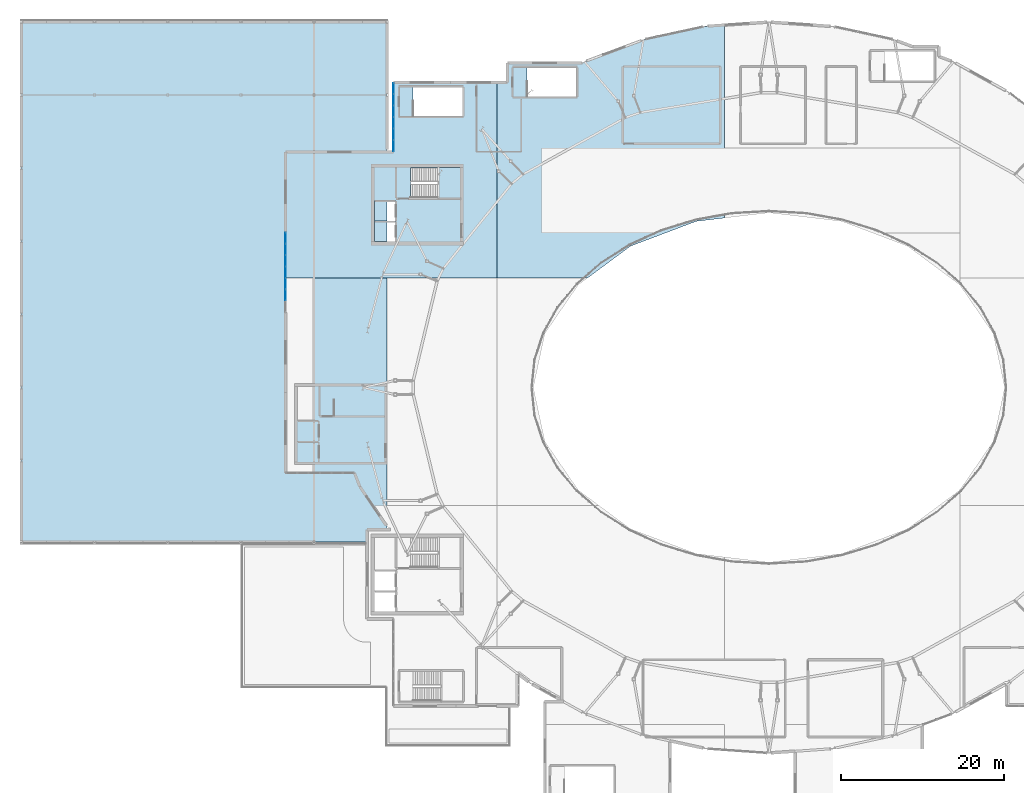
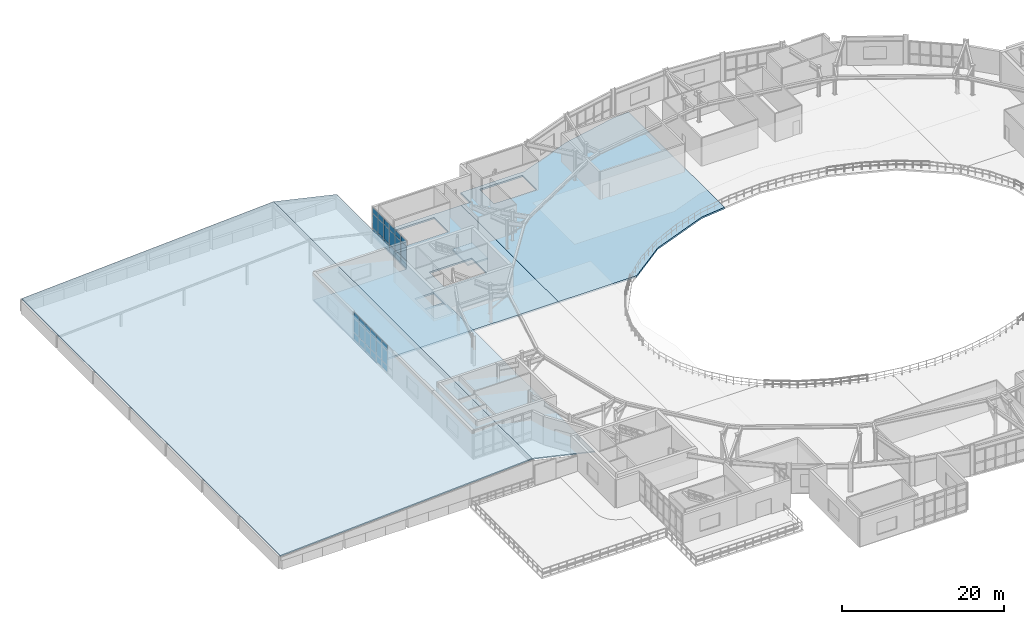
# One storey, part 33 of 48: 36 plates, 5 slabs, 4 elements without a shape of their own.
"""IFC4 building model written with IfcOpenShell, lengths in metres."""

from ifc_helpers import new_model, si_unit, direction, frame, origin, origin_2d, place, context, subcontext, project, spatial, polyline, rectangle, outline, extrude, material, layer, layer_set, type_object, element, aggregate, save


model = new_model("IFC4")

# Units and contexts
model_context = context("Model", 3, precision=1e-05, world=origin(), true_north=direction((0.0, 1.0)))
body_context = subcontext(model_context, "Body", "Model", "MODEL_VIEW")
ifc_project = project(units=[si_unit("LENGTHUNIT", "METRE"), si_unit("AREAUNIT", "SQUARE_METRE"), si_unit("VOLUMEUNIT", "CUBIC_METRE"), si_unit("PLANEANGLEUNIT", "RADIAN"), si_unit("MASSUNIT", "GRAM", prefix="KILO")], contexts=[model_context])

# Site, building, storey
site_placement = place(None, origin())
site = spatial("IfcSite", under=ifc_project, at=site_placement, CompositionType="ELEMENT")
building_placement = place(site_placement, origin())
building = spatial("IfcBuilding", under=site, at=building_placement, Name="Glasvene Arena", CompositionType="ELEMENT")
storey_placement = place(building_placement, frame((0.0, 0.0, 19.5)))
storey = spatial("IfcBuildingStorey", under=building, at=storey_placement, Name="L04", CompositionType="ELEMENT", Elevation=19.5)

# Curtain wall, plates
ifc_material_1 = material(Name="Low-emissivity laminated double glazing", Category="glass")
curtain_wall_type_1 = type_object("IfcCurtainWallType", Name="CW-FAC-L04-980x419", PredefinedType="USERDEFINED", material=ifc_material_1)
curtain_wall_1_placement = place(storey_placement, frame((32.5, 82.2900390625, 0.0)))
curtain_wall_1 = element("IfcCurtainWall", 1, at=curtain_wall_1_placement, inside=storey, type_object=curtain_wall_type_1, Name="Unitised curtain wall CW-F-L04-180-325-872-13", ObjectType="CURTAIN WALL", PredefinedType="USERDEFINED")
ifc_layer_1 = layer(ifc_material_1, 0.028076171875)
ifc_layer_set_1 = layer_set([ifc_layer_1], Name="Low-emissivity laminated double glazing")
plate_type = type_object("IfcPlateType", Name="CW-GLZ-28", PredefinedType="CURTAIN_PANEL", material=ifc_layer_set_1)
plate_1_placement = place(storey_placement, frame((32.5, 84.388916015625, 0.10986328125), z_axis=(0.0, 0.0, 1.0), x_axis=(0.0, 1.0, 0.0)))
plate_1 = element("IfcPlate", 2, at=plate_1_placement, type_object=plate_type, Name="CW-047 panel 2.1", PredefinedType="CURTAIN_PANEL", context=body_context, shape_type="SweptSolid", body=[
    extrude(rectangle(XDim=1.349365234375, YDim=0.028076171875, at=origin_2d()), origin(), (0.0, 0.0, 1.0), 0.965087890625),
])
plate_2_placement = place(storey_placement, frame((32.5, 84.388916015625, 1.125), z_axis=(0.0, 0.0, 1.0), x_axis=(0.0, 1.0, 0.0)))
plate_2 = element("IfcPlate", 3, at=plate_2_placement, type_object=plate_type, Name="CW-047 panel 2.2", PredefinedType="CURTAIN_PANEL", context=body_context, shape_type="SweptSolid", body=[
    extrude(rectangle(XDim=1.349365234375, YDim=0.028076171875, at=origin_2d()), origin(), (0.0, 0.0, 1.0), 2.199951171875),
])
plate_3_placement = place(storey_placement, frame((32.5, 84.388916015625, 3.375), z_axis=(0.0, 0.0, 1.0), x_axis=(0.0, 1.0, 0.0)))
plate_3 = element("IfcPlate", 4, at=plate_3_placement, type_object=plate_type, Name="CW-047 panel 2.3", PredefinedType="CURTAIN_PANEL", context=body_context, shape_type="SweptSolid", body=[
    extrude(rectangle(XDim=1.349365234375, YDim=0.028076171875, at=origin_2d()), origin(), (0.0, 0.0, 1.0), 0.824951171875),
])
plate_4_placement = place(storey_placement, frame((32.5, 85.788330078125, 0.10986328125), z_axis=(0.0, 0.0, 1.0), x_axis=(0.0, 1.0, 0.0)))
plate_4 = element("IfcPlate", 5, at=plate_4_placement, type_object=plate_type, Name="CW-047 panel 3.1", PredefinedType="CURTAIN_PANEL", context=body_context, shape_type="SweptSolid", body=[
    extrude(rectangle(XDim=1.349365234375, YDim=0.028076171875, at=origin_2d()), origin(), (0.0, 0.0, 1.0), 0.965087890625),
])
plate_5_placement = place(storey_placement, frame((32.5, 85.788330078125, 1.125), z_axis=(0.0, 0.0, 1.0), x_axis=(0.0, 1.0, 0.0)))
plate_5 = element("IfcPlate", 6, at=plate_5_placement, type_object=plate_type, Name="CW-047 panel 3.2", PredefinedType="CURTAIN_PANEL", context=body_context, shape_type="SweptSolid", body=[
    extrude(rectangle(XDim=1.349365234375, YDim=0.028076171875, at=origin_2d()), origin(), (0.0, 0.0, 1.0), 2.199951171875),
])
plate_6_placement = place(storey_placement, frame((32.5, 85.788330078125, 3.375), z_axis=(0.0, 0.0, 1.0), x_axis=(0.0, 1.0, 0.0)))
plate_6 = element("IfcPlate", 7, at=plate_6_placement, type_object=plate_type, Name="CW-047 panel 3.3", PredefinedType="CURTAIN_PANEL", context=body_context, shape_type="SweptSolid", body=[
    extrude(rectangle(XDim=1.349365234375, YDim=0.028076171875, at=origin_2d()), origin(), (0.0, 0.0, 1.0), 0.824951171875),
])
plate_7_placement = place(storey_placement, frame((32.5, 87.1875, 0.10986328125), z_axis=(0.0, 0.0, 1.0), x_axis=(0.0, 1.0, 0.0)))
plate_7 = element("IfcPlate", 8, at=plate_7_placement, type_object=plate_type, Name="CW-047 panel 4.1", PredefinedType="CURTAIN_PANEL", context=body_context, shape_type="SweptSolid", body=[
    extrude(rectangle(XDim=1.349365234375, YDim=0.028076171875, at=origin_2d()), origin(), (0.0, 0.0, 1.0), 0.965087890625),
])
plate_8_placement = place(storey_placement, frame((32.5, 87.1875, 1.125), z_axis=(0.0, 0.0, 1.0), x_axis=(0.0, 1.0, 0.0)))
plate_8 = element("IfcPlate", 9, at=plate_8_placement, type_object=plate_type, Name="CW-047 panel 4.2", PredefinedType="CURTAIN_PANEL", context=body_context, shape_type="SweptSolid", body=[
    extrude(rectangle(XDim=1.349365234375, YDim=0.028076171875, at=origin_2d()), origin(), (0.0, 0.0, 1.0), 2.199951171875),
])
plate_9_placement = place(storey_placement, frame((32.5, 87.1875, 3.375), z_axis=(0.0, 0.0, 1.0), x_axis=(0.0, 1.0, 0.0)))
plate_9 = element("IfcPlate", 10, at=plate_9_placement, type_object=plate_type, Name="CW-047 panel 4.3", PredefinedType="CURTAIN_PANEL", context=body_context, shape_type="SweptSolid", body=[
    extrude(rectangle(XDim=1.349365234375, YDim=0.028076171875, at=origin_2d()), origin(), (0.0, 0.0, 1.0), 0.824951171875),
])
plate_10_placement = place(storey_placement, frame((32.5, 88.586669921875, 0.10986328125), z_axis=(0.0, 0.0, 1.0), x_axis=(0.0, 1.0, 0.0)))
plate_10 = element("IfcPlate", 11, at=plate_10_placement, type_object=plate_type, Name="CW-047 panel 5.1", PredefinedType="CURTAIN_PANEL", context=body_context, shape_type="SweptSolid", body=[
    extrude(rectangle(XDim=1.349365234375, YDim=0.028076171875, at=origin_2d()), origin(), (0.0, 0.0, 1.0), 0.965087890625),
])
plate_11_placement = place(storey_placement, frame((32.5, 88.586669921875, 1.125), z_axis=(0.0, 0.0, 1.0), x_axis=(0.0, 1.0, 0.0)))
plate_11 = element("IfcPlate", 12, at=plate_11_placement, type_object=plate_type, Name="CW-047 panel 5.2", PredefinedType="CURTAIN_PANEL", context=body_context, shape_type="SweptSolid", body=[
    extrude(rectangle(XDim=1.349365234375, YDim=0.028076171875, at=origin_2d()), origin(), (0.0, 0.0, 1.0), 2.199951171875),
])
plate_12_placement = place(storey_placement, frame((32.5, 88.586669921875, 3.375), z_axis=(0.0, 0.0, 1.0), x_axis=(0.0, 1.0, 0.0)))
plate_12 = element("IfcPlate", 13, at=plate_12_placement, type_object=plate_type, Name="CW-047 panel 5.3", PredefinedType="CURTAIN_PANEL", context=body_context, shape_type="SweptSolid", body=[
    extrude(rectangle(XDim=1.349365234375, YDim=0.028076171875, at=origin_2d()), origin(), (0.0, 0.0, 1.0), 0.824951171875),
])
plate_13_placement = place(storey_placement, frame((32.5, 89.986083984375, 0.10986328125), z_axis=(0.0, 0.0, 1.0), x_axis=(0.0, 1.0, 0.0)))
plate_13 = element("IfcPlate", 14, at=plate_13_placement, type_object=plate_type, Name="CW-047 panel 6.1", PredefinedType="CURTAIN_PANEL", context=body_context, shape_type="SweptSolid", body=[
    extrude(rectangle(XDim=1.349365234375, YDim=0.028076171875, at=origin_2d()), origin(), (0.0, 0.0, 1.0), 0.965087890625),
])
plate_14_placement = place(storey_placement, frame((32.5, 89.986083984375, 1.125), z_axis=(0.0, 0.0, 1.0), x_axis=(0.0, 1.0, 0.0)))
plate_14 = element("IfcPlate", 15, at=plate_14_placement, type_object=plate_type, Name="CW-047 panel 6.2", PredefinedType="CURTAIN_PANEL", context=body_context, shape_type="SweptSolid", body=[
    extrude(rectangle(XDim=1.349365234375, YDim=0.028076171875, at=origin_2d()), origin(), (0.0, 0.0, 1.0), 2.199951171875),
])
plate_15_placement = place(storey_placement, frame((32.5, 89.986083984375, 3.375), z_axis=(0.0, 0.0, 1.0), x_axis=(0.0, 1.0, 0.0)))
plate_15 = element("IfcPlate", 16, at=plate_15_placement, type_object=plate_type, Name="CW-047 panel 6.3", PredefinedType="CURTAIN_PANEL", context=body_context, shape_type="SweptSolid", body=[
    extrude(rectangle(XDim=1.349365234375, YDim=0.028076171875, at=origin_2d()), origin(), (0.0, 0.0, 1.0), 0.824951171875),
])
plate_16_placement = place(storey_placement, frame((32.5, 91.372802734375, 0.10986328125), z_axis=(0.0, 0.0, 1.0), x_axis=(0.0, 1.0, 0.0)))
plate_16 = element("IfcPlate", 17, at=plate_16_placement, type_object=plate_type, Name="CW-047 panel 7.1", PredefinedType="CURTAIN_PANEL", context=body_context, shape_type="SweptSolid", body=[
    extrude(rectangle(XDim=1.32421875, YDim=0.028076171875, at=origin_2d()), origin(), (0.0, 0.0, 1.0), 0.965087890625),
])
plate_17_placement = place(storey_placement, frame((32.5, 91.372802734375, 1.125), z_axis=(0.0, 0.0, 1.0), x_axis=(0.0, 1.0, 0.0)))
plate_17 = element("IfcPlate", 18, at=plate_17_placement, type_object=plate_type, Name="CW-047 panel 7.2", PredefinedType="CURTAIN_PANEL", context=body_context, shape_type="SweptSolid", body=[
    extrude(rectangle(XDim=1.32421875, YDim=0.028076171875, at=origin_2d()), origin(), (0.0, 0.0, 1.0), 2.199951171875),
])
plate_18_placement = place(storey_placement, frame((32.5, 91.372802734375, 3.375), z_axis=(0.0, 0.0, 1.0), x_axis=(0.0, 1.0, 0.0)))
plate_18 = element("IfcPlate", 19, at=plate_18_placement, type_object=plate_type, Name="CW-047 panel 7.3", PredefinedType="CURTAIN_PANEL", context=body_context, shape_type="SweptSolid", body=[
    extrude(rectangle(XDim=1.32421875, YDim=0.028076171875, at=origin_2d()), origin(), (0.0, 0.0, 1.0), 0.824951171875),
])
aggregate(curtain_wall_1, [plate_1, plate_2, plate_3, plate_4, plate_5, plate_6, plate_7, plate_8, plate_9, plate_10, plate_11, plate_12, plate_13, plate_14, plate_15, plate_16, plate_17, plate_18])

curtain_wall_type_2 = type_object("IfcCurtainWallType", Name="CW-FAC-L04-847x419", PredefinedType="USERDEFINED", material=ifc_material_1)
curtain_wall_2_placement = place(storey_placement, frame((45.800048828125, 102.0400390625, 0.0)))
curtain_wall_2 = element("IfcCurtainWall", 20, at=curtain_wall_2_placement, inside=storey, type_object=curtain_wall_type_2, Name="Unitised curtain wall CW-F-L04-180-458-1063-16", ObjectType="CURTAIN WALL", PredefinedType="USERDEFINED")
plate_19_placement = place(storey_placement, frame((45.800048828125, 102.75830078125, 0.10986328125), z_axis=(0.0, 0.0, 1.0), x_axis=(0.0, 1.0, 0.0)))
plate_19 = element("IfcPlate", 21, at=plate_19_placement, type_object=plate_type, Name="CW-048 panel 1.1", PredefinedType="CURTAIN_PANEL", context=body_context, shape_type="SweptSolid", body=[
    extrude(rectangle(XDim=1.336669921875, YDim=0.028076171875, at=origin_2d()), origin(), (0.0, 0.0, 1.0), 0.965087890625),
])
plate_20_placement = place(storey_placement, frame((45.800048828125, 102.75830078125, 1.125), z_axis=(0.0, 0.0, 1.0), x_axis=(0.0, 1.0, 0.0)))
plate_20 = element("IfcPlate", 22, at=plate_20_placement, type_object=plate_type, Name="CW-048 panel 1.2", PredefinedType="CURTAIN_PANEL", context=body_context, shape_type="SweptSolid", body=[
    extrude(rectangle(XDim=1.336669921875, YDim=0.028076171875, at=origin_2d()), origin(), (0.0, 0.0, 1.0), 2.199951171875),
])
plate_21_placement = place(storey_placement, frame((45.800048828125, 102.75830078125, 3.375), z_axis=(0.0, 0.0, 1.0), x_axis=(0.0, 1.0, 0.0)))
plate_21 = element("IfcPlate", 23, at=plate_21_placement, type_object=plate_type, Name="CW-048 panel 1.3", PredefinedType="CURTAIN_PANEL", context=body_context, shape_type="SweptSolid", body=[
    extrude(rectangle(XDim=1.336669921875, YDim=0.028076171875, at=origin_2d()), origin(), (0.0, 0.0, 1.0), 0.824951171875),
])
plate_22_placement = place(storey_placement, frame((45.800048828125, 104.157470703125, 0.10986328125), z_axis=(0.0, 0.0, 1.0), x_axis=(0.0, 1.0, 0.0)))
plate_22 = element("IfcPlate", 24, at=plate_22_placement, type_object=plate_type, Name="CW-048 panel 2.1", PredefinedType="CURTAIN_PANEL", context=body_context, shape_type="SweptSolid", body=[
    extrude(rectangle(XDim=1.361572265625, YDim=0.028076171875, at=origin_2d()), origin(), (0.0, 0.0, 1.0), 0.965087890625),
])
plate_23_placement = place(storey_placement, frame((45.800048828125, 104.157470703125, 1.125), z_axis=(0.0, 0.0, 1.0), x_axis=(0.0, 1.0, 0.0)))
plate_23 = element("IfcPlate", 25, at=plate_23_placement, type_object=plate_type, Name="CW-048 panel 2.2", PredefinedType="CURTAIN_PANEL", context=body_context, shape_type="SweptSolid", body=[
    extrude(rectangle(XDim=1.361572265625, YDim=0.028076171875, at=origin_2d()), origin(), (0.0, 0.0, 1.0), 2.199951171875),
])
plate_24_placement = place(storey_placement, frame((45.800048828125, 104.157470703125, 3.375), z_axis=(0.0, 0.0, 1.0), x_axis=(0.0, 1.0, 0.0)))
plate_24 = element("IfcPlate", 26, at=plate_24_placement, type_object=plate_type, Name="CW-048 panel 2.3", PredefinedType="CURTAIN_PANEL", context=body_context, shape_type="SweptSolid", body=[
    extrude(rectangle(XDim=1.361572265625, YDim=0.028076171875, at=origin_2d()), origin(), (0.0, 0.0, 1.0), 0.824951171875),
])
plate_25_placement = place(storey_placement, frame((45.800048828125, 105.569091796875, 0.10986328125), z_axis=(0.0, 0.0, 1.0), x_axis=(0.0, 1.0, 0.0)))
plate_25 = element("IfcPlate", 27, at=plate_25_placement, type_object=plate_type, Name="CW-048 panel 3.1", PredefinedType="CURTAIN_PANEL", context=body_context, shape_type="SweptSolid", body=[
    extrude(rectangle(XDim=1.361572265625, YDim=0.028076171875, at=origin_2d()), origin(), (0.0, 0.0, 1.0), 0.965087890625),
])
plate_26_placement = place(storey_placement, frame((45.800048828125, 105.569091796875, 1.125), z_axis=(0.0, 0.0, 1.0), x_axis=(0.0, 1.0, 0.0)))
plate_26 = element("IfcPlate", 28, at=plate_26_placement, type_object=plate_type, Name="CW-048 panel 3.2", PredefinedType="CURTAIN_PANEL", context=body_context, shape_type="SweptSolid", body=[
    extrude(rectangle(XDim=1.361572265625, YDim=0.028076171875, at=origin_2d()), origin(), (0.0, 0.0, 1.0), 2.199951171875),
])
plate_27_placement = place(storey_placement, frame((45.800048828125, 105.569091796875, 3.375), z_axis=(0.0, 0.0, 1.0), x_axis=(0.0, 1.0, 0.0)))
plate_27 = element("IfcPlate", 29, at=plate_27_placement, type_object=plate_type, Name="CW-048 panel 3.3", PredefinedType="CURTAIN_PANEL", context=body_context, shape_type="SweptSolid", body=[
    extrude(rectangle(XDim=1.361572265625, YDim=0.028076171875, at=origin_2d()), origin(), (0.0, 0.0, 1.0), 0.824951171875),
])
plate_28_placement = place(storey_placement, frame((45.800048828125, 106.980712890625, 0.10986328125), z_axis=(0.0, 0.0, 1.0), x_axis=(0.0, 1.0, 0.0)))
plate_28 = element("IfcPlate", 30, at=plate_28_placement, type_object=plate_type, Name="CW-048 panel 4.1", PredefinedType="CURTAIN_PANEL", context=body_context, shape_type="SweptSolid", body=[
    extrude(rectangle(XDim=1.361572265625, YDim=0.028076171875, at=origin_2d()), origin(), (0.0, 0.0, 1.0), 0.965087890625),
])
plate_29_placement = place(storey_placement, frame((45.800048828125, 106.980712890625, 1.125), z_axis=(0.0, 0.0, 1.0), x_axis=(0.0, 1.0, 0.0)))
plate_29 = element("IfcPlate", 31, at=plate_29_placement, type_object=plate_type, Name="CW-048 panel 4.2", PredefinedType="CURTAIN_PANEL", context=body_context, shape_type="SweptSolid", body=[
    extrude(rectangle(XDim=1.361572265625, YDim=0.028076171875, at=origin_2d()), origin(), (0.0, 0.0, 1.0), 2.199951171875),
])
plate_30_placement = place(storey_placement, frame((45.800048828125, 106.980712890625, 3.375), z_axis=(0.0, 0.0, 1.0), x_axis=(0.0, 1.0, 0.0)))
plate_30 = element("IfcPlate", 32, at=plate_30_placement, type_object=plate_type, Name="CW-048 panel 4.3", PredefinedType="CURTAIN_PANEL", context=body_context, shape_type="SweptSolid", body=[
    extrude(rectangle(XDim=1.361572265625, YDim=0.028076171875, at=origin_2d()), origin(), (0.0, 0.0, 1.0), 0.824951171875),
])
plate_31_placement = place(storey_placement, frame((45.800048828125, 108.392578125, 0.10986328125), z_axis=(0.0, 0.0, 1.0), x_axis=(0.0, 1.0, 0.0)))
plate_31 = element("IfcPlate", 33, at=plate_31_placement, type_object=plate_type, Name="CW-048 panel 5.1", PredefinedType="CURTAIN_PANEL", context=body_context, shape_type="SweptSolid", body=[
    extrude(rectangle(XDim=1.361572265625, YDim=0.028076171875, at=origin_2d()), origin(), (0.0, 0.0, 1.0), 0.965087890625),
])
plate_32_placement = place(storey_placement, frame((45.800048828125, 108.392578125, 1.125), z_axis=(0.0, 0.0, 1.0), x_axis=(0.0, 1.0, 0.0)))
plate_32 = element("IfcPlate", 34, at=plate_32_placement, type_object=plate_type, Name="CW-048 panel 5.2", PredefinedType="CURTAIN_PANEL", context=body_context, shape_type="SweptSolid", body=[
    extrude(rectangle(XDim=1.361572265625, YDim=0.028076171875, at=origin_2d()), origin(), (0.0, 0.0, 1.0), 2.199951171875),
])
plate_33_placement = place(storey_placement, frame((45.800048828125, 108.392578125, 3.375), z_axis=(0.0, 0.0, 1.0), x_axis=(0.0, 1.0, 0.0)))
plate_33 = element("IfcPlate", 35, at=plate_33_placement, type_object=plate_type, Name="CW-048 panel 5.3", PredefinedType="CURTAIN_PANEL", context=body_context, shape_type="SweptSolid", body=[
    extrude(rectangle(XDim=1.361572265625, YDim=0.028076171875, at=origin_2d()), origin(), (0.0, 0.0, 1.0), 0.824951171875),
])
plate_34_placement = place(storey_placement, frame((45.800048828125, 109.791748046875, 0.10986328125), z_axis=(0.0, 0.0, 1.0), x_axis=(0.0, 1.0, 0.0)))
plate_34 = element("IfcPlate", 36, at=plate_34_placement, type_object=plate_type, Name="CW-048 panel 6.1", PredefinedType="CURTAIN_PANEL", context=body_context, shape_type="SweptSolid", body=[
    extrude(rectangle(XDim=1.336669921875, YDim=0.028076171875, at=origin_2d()), origin(), (0.0, 0.0, 1.0), 0.965087890625),
])
plate_35_placement = place(storey_placement, frame((45.800048828125, 109.791748046875, 1.125), z_axis=(0.0, 0.0, 1.0), x_axis=(0.0, 1.0, 0.0)))
plate_35 = element("IfcPlate", 37, at=plate_35_placement, type_object=plate_type, Name="CW-048 panel 6.2", PredefinedType="CURTAIN_PANEL", context=body_context, shape_type="SweptSolid", body=[
    extrude(rectangle(XDim=1.336669921875, YDim=0.028076171875, at=origin_2d()), origin(), (0.0, 0.0, 1.0), 2.199951171875),
])
plate_36_placement = place(storey_placement, frame((45.800048828125, 109.791748046875, 3.375), z_axis=(0.0, 0.0, 1.0), x_axis=(0.0, 1.0, 0.0)))
plate_36 = element("IfcPlate", 38, at=plate_36_placement, type_object=plate_type, Name="CW-048 panel 6.3", PredefinedType="CURTAIN_PANEL", context=body_context, shape_type="SweptSolid", body=[
    extrude(rectangle(XDim=1.336669921875, YDim=0.028076171875, at=origin_2d()), origin(), (0.0, 0.0, 1.0), 0.824951171875),
])
aggregate(curtain_wall_2, [plate_19, plate_20, plate_21, plate_22, plate_23, plate_24, plate_25, plate_26, plate_27, plate_28, plate_29, plate_30, plate_31, plate_32, plate_33, plate_34, plate_35, plate_36])

# Stair, slab
ifc_material_2 = material(Name="Concrete C40/50", Category="concrete")
stair_type = type_object("IfcStairType", Name="ST-HT-450-170", PredefinedType="HALF_TURN_STAIR", material=ifc_material_2)
stair_placement = place(storey_placement, origin())
stair = element("IfcStair", 39, at=stair_placement, inside=storey, type_object=stair_type, Name="Protected escape stair ST-01 (L04 to L05)", PredefinedType="HALF_TURN_STAIR")
ifc_layer_2 = layer(ifc_material_2, 0.219970703125)
ifc_layer_set_2 = layer_set([ifc_layer_2], Name="Concrete C40/50")
slab_type_1 = type_object("IfcSlabType", Name="SL-LAND-220", PredefinedType="LANDING", material=ifc_layer_set_2)
slab_1_placement = place(storey_placement, frame((52.6298828125, 98.175048828125, 2.030029296875)))
slab_1 = element("IfcSlab", 40, at=slab_1_placement, type_object=slab_type_1, Name="Protected escape stair ST-01 (L04 to L05) landing 1", PredefinedType="LANDING", context=body_context, shape_type="SweptSolid", body=[
    extrude(outline(polyline([(-1.419921875, -1.925048828125), (1.420166015625, -1.925048828125), (1.420166015625, 1.925048828125), (-1.419921875, 1.925048828125), (-1.419921875, -1.925048828125)])), origin(), (0.0, 0.0, 1.0), 0.219970703125),
])
aggregate(stair, [slab_1])

# Slabs
ifc_layer_3 = layer(ifc_material_2, 0.25)
ifc_layer_set_3 = layer_set([ifc_layer_3], Name="Concrete C40/50")
slab_type_2 = type_object("IfcSlabType", Name="SL-UPPER-250", PredefinedType="FLOOR", material=ifc_layer_set_3)
slab_2_placement = place(storey_placement, frame((45.60009765625, 99.683349609375, -0.25)))
element("IfcSlab", 41, at=slab_2_placement, inside=storey, type_object=slab_type_2, Name="Structural floor slab L04 sector 4-2 (111)", PredefinedType="FLOOR", context=body_context, shape_type="SweptSolid", body=[
    extrude(outline(polyline([(0.199951171875, 2.316650390625), (0.199951171875, 10.86669921875), (12.89990234375, 10.86669921875), (12.89990234375, -13.183349609375), (-13.10009765625, -13.183349609375), (-13.10009765625, 2.316650390625), (0.199951171875, 2.316650390625)]), holes=[polyline([(0.5, -8.7333984375), (0.5, -6.283447265625), (-2.150146484375, -6.283447265625), (-2.150146484375, -8.7333984375), (0.5, -8.7333984375)]), polyline([(0.5, -3.7333984375), (-2.150146484375, -3.7333984375), (-2.150146484375, -6.183349609375), (0.5, -6.183349609375), (0.5, -3.7333984375)]), polyline([(8.349853515625, -3.333251953125), (8.349853515625, 0.316650390625), (2.251953125, 0.316650390625), (2.251953125, -3.333251953125), (8.349853515625, -3.333251953125)]), polyline([(8.699951171875, 6.716552734375), (8.699951171875, 10.2666015625), (2.601806640625, 10.2666015625), (2.601806640625, 6.716552734375), (8.699951171875, 6.716552734375)])]), origin(), (0.0, 0.0, 1.0), 0.25),
])
slab_3_placement = place(storey_placement, frame((72.027587890625, 104.741943359375, -0.25)))
element("IfcSlab", 42, at=slab_3_placement, inside=storey, type_object=slab_type_2, Name="Structural floor slab L04 sector 4-3 (112)", PredefinedType="FLOOR", context=body_context, shape_type="SweptSolid", body=[
    extrude(outline(polyline([(-12.2275390625, 8.2080078125), (-2.990478515625, 8.2080078125), (-2.72705078125, 8.353271484375), (4.521728515625, 11.0556640625), (12.150634765625, 12.7041015625), (14.472412109375, 12.868408203125), (14.472412109375, -10.8876953125), (11.010986328125, -11.294189453125), (2.926513671875, -14.34814453125), (-2.32568359375, -18.241943359375), (-13.527587890625, -18.241943359375), (-13.527587890625, 5.80810546875), (-12.2275390625, 5.80810546875), (-12.2275390625, 8.2080078125)]), holes=[polyline([(-3.7275390625, 4.05810546875), (-3.7275390625, 7.608154296875), (-9.82568359375, 7.608154296875), (-9.82568359375, 4.05810546875), (-3.7275390625, 4.05810546875)])]), origin(), (0.0, 0.0, 1.0), 0.25),
])

# Roof, slabs
ifc_material_3 = material(Name="Smooth matte white insulated roof panel")
ifc_layer_4 = layer(ifc_material_3, 0.179931640625)
ifc_layer_set_4 = layer_set([ifc_layer_4], Name="Smooth matte white insulated roof panel")
roof_type = type_object("IfcRoofType", Name="RF-PETAL-ASSY", PredefinedType="PAVILION_ROOF", material=ifc_layer_set_4)
roof_placement = place(storey_placement, frame((22.5, 86.0, 1.85009765625)))
roof = element("IfcRoof", 43, at=roof_placement, inside=storey, type_object=roof_type, Name="Pitched Prairie wing roof V4", PredefinedType="PAVILION_ROOF")
ifc_layer_5 = layer(ifc_material_2, 0.159912109375)
ifc_layer_set_5 = layer_set([ifc_layer_5], Name="Concrete C40/50")
slab_type_3 = type_object("IfcSlabType", Name="SL-WING-160", PredefinedType="ROOF", material=ifc_layer_set_5)
slab_4_placement = place(storey_placement, frame((0.0, 54.0, 1.85009765625), z_axis=(-0.056846943295, 0.0, 0.998382905021), x_axis=(0.998382905021, 0.0, 0.056846943295)))
slab_4 = element("IfcSlab", 44, at=slab_4_placement, type_object=slab_type_3, Name="Pitched wing roof slab V4-W", PredefinedType="ROOF", context=body_context, shape_type="SweptSolid", body=[
    extrude(outline(polyline([(0.0, 0.0), (36.058309711589324, 0.0), (36.058309711589324, 64.0), (0.0, 64.0), (0.0, 0.0)])), origin(), (0.0, 0.0, -1.0), 0.159912109375),
])
slab_5_placement = place(storey_placement, frame((36.0, 54.0, 3.89990234375), z_axis=(0.222069213148, 0.0, 0.975030904419), x_axis=(0.975030904419, 0.0, -0.222069213148)))
slab_5 = element("IfcSlab", 45, at=slab_5_placement, type_object=slab_type_3, Name="Pitched wing roof slab V4-E", PredefinedType="ROOF", context=body_context, shape_type="SweptSolid", body=[
    extrude(outline(polyline([(0.0, 0.0), (9.2304766538298, 0.0), (9.2304766538298, 64.00000000000001), (0.0, 64.00000000000001), (0.0, 0.0)])), origin(), (0.0, 0.0, -1.0), 0.159912109375),
])
aggregate(roof, [slab_4, slab_5])

save(model, "model.ifc")
